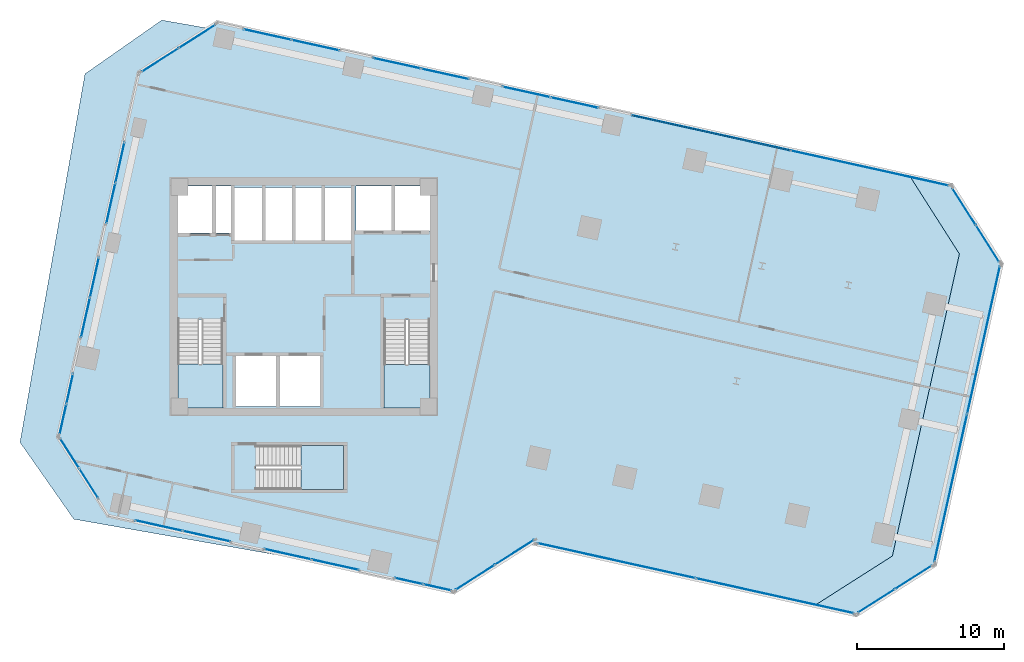
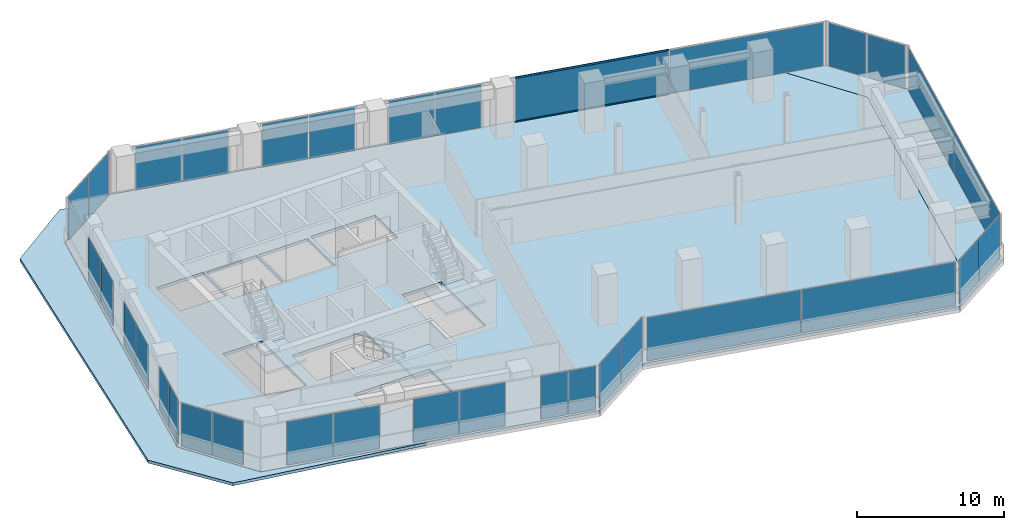
# One storey, part 19 of 25: 34 plates, 6 slabs, 2 members, 20 elements without a shape of their own.
"""IFC4 building model written with IfcOpenShell, lengths in metres."""

from ifc_helpers import new_model, si_unit, direction, frame, origin, origin_2d, place, context, subcontext, project, spatial, polyline, rectangle, hollow_rectangle, outline, extrude, source, transform, mapped, material, layer, layer_set, material_profile, profile_set, type_object, element, aggregate, save


model = new_model("IFC4")

# Units and contexts
model_context = context("Model", 3, precision=1e-05, world=origin(), true_north=direction((0.0, 1.0)))
body_context = subcontext(model_context, "Body", "Model", "MODEL_VIEW")
ifc_project = project(units=[si_unit("LENGTHUNIT", "METRE"), si_unit("AREAUNIT", "SQUARE_METRE"), si_unit("VOLUMEUNIT", "CUBIC_METRE"), si_unit("PLANEANGLEUNIT", "RADIAN"), si_unit("MASSUNIT", "GRAM", prefix="KILO")], contexts=[model_context])

# Site, building, storey
site_placement = place(None, origin())
site = spatial("IfcSite", under=ifc_project, at=site_placement, CompositionType="ELEMENT")
building_placement = place(site_placement, origin())
building = spatial("IfcBuilding", under=site, at=building_placement, Name="Torre Montelarca", CompositionType="ELEMENT")
storey_placement = place(building_placement, frame((0.0, 0.0, 87.39990234375)))
storey = spatial("IfcBuildingStorey", under=building, at=storey_placement, Name="L19", CompositionType="ELEMENT", Elevation=87.39990234375)

# Curtain wall, members
ifc_material_1 = material(Name="Insulated low-E laminated glass", Category="glass")
curtain_wall_type = type_object("IfcCurtainWallType", Name="CW-SYS-Z1", PredefinedType="USERDEFINED", material=ifc_material_1)
curtain_wall_1_placement = place(storey_placement, origin())
curtain_wall_1 = element("IfcCurtainWall", 1, at=curtain_wall_1_placement, inside=storey, type_object=curtain_wall_type, Name="L19 Curtain Wall Run CW-T3-L19-E08-B1", ObjectType="UNITISED GLAZING", PredefinedType="USERDEFINED")
ifc_material_2 = material(Name="Anodised aluminium AA 6063-T6", Category="aluminium")
ifc_material_profile = material_profile(ifc_material_2, hollow_rectangle(XDim=0.06494140625, YDim=0.139892578125, WallThickness=0.00390625, InnerFilletRadius=0.00390625, OuterFilletRadius=0.008056640625, at=origin_2d()), Name="ALU65X140X4", Category="aluminium")
ifc_profile_set = profile_set([ifc_material_profile], Name="Anodised aluminium AA 6063-T6")
member_type = type_object("IfcMemberType", Name="CWT-ALU140", PredefinedType="USERDEFINED", material=ifc_profile_set)
shared_shape_1 = source(origin(), body_context, "Body", "SweptSolid", [
    extrude(hollow_rectangle(XDim=0.06494140625, YDim=0.139892578125, WallThickness=0.00390625, InnerFilletRadius=0.00390625, OuterFilletRadius=0.008056640625, at=origin_2d()), origin(), (0.0, 0.0, 1.0), 10.95458984375),
])
member_1_placement = place(storey_placement, frame((50.99609375, 41.9208984375, 0.03271484375), z_axis=(-0.976293917947, 0.216449037372, 0.0), x_axis=(-0.216449037372, -0.976293917947, 0.0)))
member_1 = element("IfcMember", 2, at=member_1_placement, type_object=member_type, Name="CW transom 2.1", ObjectType="TRANSOM", PredefinedType="USERDEFINED", context=body_context, shape_type="MappedRepresentation", body=[
    mapped(shared_shape_1, transform((0.0, 0.0, 0.0), scale=1.0)),
])
member_2_placement = place(storey_placement, frame((50.99609375, 41.9208984375, 3.6875), z_axis=(-0.976293917947, 0.216449037372, 0.0), x_axis=(-0.216449037372, -0.976293917947, 0.0)))
member_2 = element("IfcMember", 3, at=member_2_placement, type_object=member_type, Name="CW transom 2.2", ObjectType="TRANSOM", PredefinedType="USERDEFINED", context=body_context, shape_type="MappedRepresentation", body=[
    mapped(shared_shape_1, transform((0.0, 0.0, 0.0), scale=1.0)),
])

# Slabs
ifc_material_3 = material(Name="Concrete C40/50", Category="concrete")
ifc_layer_1 = layer(ifc_material_3, 0.239990234375, Name="Concrete C40/50", Category="concrete")
ifc_layer_set_1 = layer_set([ifc_layer_1], Name="Concrete C40/50")
slab_type_1 = type_object("IfcSlabType", Name="SL-FLR-240", PredefinedType="FLOOR", material=ifc_layer_set_1)
slab_1_placement = place(storey_placement, frame((0.0, 0.0, -0.239990234375)))
element("IfcSlab", 4, at=slab_1_placement, inside=storey, type_object=slab_type_1, Name="L19 Structural Floor Slab", PredefinedType="FLOOR", context=body_context, shape_type="SweptSolid", body=[
    extrude(outline(polyline([(28.202392578125, 11.872314453125), (33.569580078125, 15.29150390625), (33.548095703125, 15.19384765625), (52.5859375, 10.973388671875), (57.953125, 14.392578125), (62.498291015625, 34.89501953125), (59.0791015625, 40.26220703125), (12.119140625, 50.673095703125), (6.751953125, 47.253662109375), (1.25439453125, 22.455810546875), (4.673583984375, 17.08837890625), (28.202392578125, 11.872314453125)]), holes=[polyline([(20.699951171875, 18.89990234375), (14.760009765625, 18.89990234375), (14.760009765625, 21.889892578125), (20.699951171875, 21.889892578125), (20.699951171875, 18.89990234375)]), polyline([(19.10009765625, 24.550048828125), (13.39990234375, 24.550048828125), (13.39990234375, 27.949951171875), (19.10009765625, 27.949951171875), (19.10009765625, 24.550048828125)]), polyline([(23.43994140625, 24.449951171875), (23.43994140625, 30.429931640625), (26.550048828125, 30.429931640625), (26.550048828125, 24.449951171875), (23.43994140625, 24.449951171875)]), polyline([(9.449951171875, 24.449951171875), (9.449951171875, 30.4599609375), (12.5, 30.4599609375), (12.5, 24.449951171875), (9.449951171875, 24.449951171875)]), polyline([(17.25, 35.800048828125), (13.300048828125, 35.800048828125), (13.300048828125, 39.39990234375), (17.25, 39.39990234375), (17.25, 35.800048828125)]), polyline([(21.25, 35.800048828125), (17.39990234375, 35.800048828125), (17.39990234375, 39.39990234375), (21.25, 39.39990234375), (21.25, 35.800048828125)]), polyline([(13.1201171875, 36.300048828125), (9.449951171875, 36.300048828125), (9.449951171875, 39.5), (13.1201171875, 39.5), (13.1201171875, 36.300048828125)]), polyline([(26.60009765625, 36.449951171875), (21.550048828125, 36.449951171875), (21.550048828125, 39.5), (26.60009765625, 39.5), (26.60009765625, 36.449951171875)])]), origin(), (0.0, 0.0, 1.0), 0.239990234375),
])
slab_2_placement = place(storey_placement, frame((0.0, 0.0, -0.239990234375)))
element("IfcSlab", 5, at=slab_2_placement, inside=storey, type_object=slab_type_1, Name="L19 Sliding Tray Winter Garden Floor Slab E1", PredefinedType="FLOOR", context=body_context, shape_type="SweptSolid", body=[
    extrude(outline(polyline([(59.0791015625, 40.26220703125), (62.498291015625, 34.89501953125), (57.953125, 14.392578125), (52.5859375, 10.973388671875), (55.514892578125, 10.32421875), (60.882080078125, 13.743408203125), (65.42724609375, 34.24560546875), (62.0078125, 39.61279296875), (59.0791015625, 40.26220703125)])), origin(), (0.0, 0.0, 1.0), 0.239990234375),
])
ifc_material_4 = material(Name="Architectural concrete C40/50", Category="concrete")
ifc_layer_2 = layer(ifc_material_4, 0.239990234375, Name="Architectural concrete C40/50", Category="concrete")
ifc_layer_set_2 = layer_set([ifc_layer_2], Name="Architectural concrete C40/50")
slab_type_2 = type_object("IfcSlabType", Name="SL-ROOF-EXT-240", PredefinedType="ROOF", material=ifc_layer_set_2)
slab_3_placement = place(storey_placement, frame((0.0, 0.0, -0.239990234375)))
element("IfcSlab", 6, at=slab_3_placement, inside=storey, type_object=slab_type_2, Name="L18 Setback and Tray Overhang Roof Cap Slab 01", PredefinedType="ROOF", context=body_context, shape_type="SweptSolid", body=[
    extrude(outline(polyline([(4.668701171875, 17.081298828125), (1.245849609375, 22.4541015625), (6.744873046875, 47.258544921875), (11.407958984375, 50.2294921875), (8.359130859375, 50.76708984375), (3.146240234375, 47.11669921875), (-1.264404296875, 22.102783203125), (2.3857421875, 16.8896484375), (17.767822265625, 14.17724609375), (4.668701171875, 17.081298828125)])), origin(), (0.0, 0.0, 1.0), 0.239990234375),
])

# Stair, slab
stair_type_1 = type_object("IfcStairType", Name="ST-CORE-ST1", PredefinedType="HALF_TURN_STAIR", material=ifc_material_3)
stair_1_placement = place(storey_placement, origin())
stair_1 = element("IfcStair", 7, at=stair_1_placement, inside=storey, type_object=stair_type_1, Name="L19 Protected Exit Stair ST1", PredefinedType="HALF_TURN_STAIR")
ifc_layer_3 = layer(ifc_material_3, 0.199951171875, Name="Concrete C40/50", Category="concrete")
ifc_layer_set_3 = layer_set([ifc_layer_3], Name="Concrete C40/50")
slab_type_3 = type_object("IfcSlabType", Name="SL-ST-LAND-ST1", PredefinedType="LANDING", material=ifc_layer_set_3)
slab_4_placement = place(storey_placement, frame((0.0, 0.0, 1.900146484375)))
slab_4 = element("IfcSlab", 8, at=slab_4_placement, type_object=slab_type_3, Name="ST1 landing 1", PredefinedType="LANDING", context=body_context, shape_type="SweptSolid", body=[
    extrude(outline(polyline([(9.449951171875, 27.419921875), (9.449951171875, 24.449951171875), (12.5, 24.449951171875), (12.5, 27.419921875), (9.449951171875, 27.419921875)])), origin(), (0.0, 0.0, 1.0), 0.199951171875),
])
aggregate(stair_1, [slab_4])

stair_type_2 = type_object("IfcStairType", Name="ST-CORE-ST2", PredefinedType="HALF_TURN_STAIR", material=ifc_material_3)
stair_2_placement = place(storey_placement, origin())
stair_2 = element("IfcStair", 9, at=stair_2_placement, inside=storey, type_object=stair_type_2, Name="L19 Protected Exit Stair ST2", PredefinedType="HALF_TURN_STAIR")
ifc_layer_4 = layer(ifc_material_3, 0.199951171875, Name="Concrete C40/50", Category="concrete")
ifc_layer_set_4 = layer_set([ifc_layer_4], Name="Concrete C40/50")
slab_type_4 = type_object("IfcSlabType", Name="SL-ST-LAND-ST2", PredefinedType="LANDING", material=ifc_layer_set_4)
slab_5_placement = place(storey_placement, frame((0.0, 0.0, 1.900146484375)))
slab_5 = element("IfcSlab", 10, at=slab_5_placement, type_object=slab_type_4, Name="ST2 landing 1", PredefinedType="LANDING", context=body_context, shape_type="SweptSolid", body=[
    extrude(outline(polyline([(23.43994140625, 27.389892578125), (23.43994140625, 24.449951171875), (26.550048828125, 24.449951171875), (26.550048828125, 27.389892578125), (23.43994140625, 27.389892578125)])), origin(), (0.0, 0.0, 1.0), 0.199951171875),
])
aggregate(stair_2, [slab_5])

stair_type_3 = type_object("IfcStairType", Name="ST-CORE-ST3", PredefinedType="HALF_TURN_STAIR", material=ifc_material_3)
stair_3_placement = place(storey_placement, origin())
stair_3 = element("IfcStair", 11, at=stair_3_placement, inside=storey, type_object=stair_type_3, Name="L19 Low-Rise Exit Stair ST3", PredefinedType="HALF_TURN_STAIR")
ifc_layer_5 = layer(ifc_material_3, 0.199951171875, Name="Concrete C40/50", Category="concrete")
ifc_layer_set_5 = layer_set([ifc_layer_5], Name="Concrete C40/50")
slab_type_5 = type_object("IfcSlabType", Name="SL-ST-LAND-ST3", PredefinedType="LANDING", material=ifc_layer_set_5)
slab_6_placement = place(storey_placement, frame((0.0, 0.0, 1.900146484375)))
slab_6 = element("IfcSlab", 12, at=slab_6_placement, type_object=slab_type_5, Name="ST3 landing 1", PredefinedType="LANDING", context=body_context, shape_type="SweptSolid", body=[
    extrude(outline(polyline([(17.800048828125, 18.89990234375), (20.699951171875, 18.89990234375), (20.699951171875, 21.889892578125), (17.800048828125, 21.889892578125), (17.800048828125, 18.89990234375)])), origin(), (0.0, 0.0, 1.0), 0.199951171875),
])
aggregate(stair_3, [slab_6])

# Curtain wall, plates
curtain_wall_2_placement = place(storey_placement, origin())
curtain_wall_2 = element("IfcCurtainWall", 13, at=curtain_wall_2_placement, inside=storey, type_object=curtain_wall_type, Name="L19 Curtain Wall Run CW-T3-L19-E02-B1", ObjectType="UNITISED GLAZING", PredefinedType="USERDEFINED")
ifc_layer_6 = layer(ifc_material_1, 0.028076171875, Name="Insulated low-E laminated glass", Category="glass")
ifc_layer_set_6 = layer_set([ifc_layer_6], Name="Insulated low-E laminated glass")
plate_type = type_object("IfcPlateType", Name="CWP-GLZ-28", PredefinedType="CURTAIN_PANEL", material=ifc_layer_set_6)
shared_shape_2 = source(origin(), body_context, "Body", "SweptSolid", [
    extrude(rectangle(XDim=3.102294921875, YDim=0.028076171875, at=origin_2d()), origin(), (0.0, 0.0, 1.0), 3.590087890625),
])
plate_1_placement = place(storey_placement, frame((29.635498046875, 12.939208984375, 0.06494140625), z_axis=(0.0, 0.0, 1.0), x_axis=(0.843383425571, 0.537312197398, 0.0)))
plate_1 = element("IfcPlate", 14, at=plate_1_placement, type_object=plate_type, Name="CW panel 1.1", PredefinedType="CURTAIN_PANEL", context=body_context, shape_type="MappedRepresentation", body=[
    mapped(shared_shape_2, transform((0.0, 0.0, 0.0), scale=1.0)),
])
plate_2_placement = place(storey_placement, frame((32.306884765625, 14.64111328125, 0.06494140625), z_axis=(0.0, 0.0, 1.0), x_axis=(0.843383425571, 0.537312197398, 0.0)))
plate_2 = element("IfcPlate", 15, at=plate_2_placement, type_object=plate_type, Name="CW panel 2.1", PredefinedType="CURTAIN_PANEL", context=body_context, shape_type="MappedRepresentation", body=[
    mapped(shared_shape_2, transform((0.0, 0.0, 0.0), scale=1.0)),
])
aggregate(curtain_wall_2, [plate_1, plate_2])

curtain_wall_3_placement = place(storey_placement, origin())
curtain_wall_3 = element("IfcCurtainWall", 16, at=curtain_wall_3_placement, inside=storey, type_object=curtain_wall_type, Name="L19 Curtain Wall Run CW-T3-L19-E04-B1", ObjectType="UNITISED GLAZING", PredefinedType="USERDEFINED")
shared_shape_3 = source(origin(), body_context, "Body", "SweptSolid", [
    extrude(rectangle(XDim=10.94873046875, YDim=0.028076171875, at=origin_2d()), origin(), (0.0, 0.0, 1.0), 3.590087890625),
])
plate_3_placement = place(storey_placement, frame((39.220458984375, 14.069580078125, 0.06494140625), z_axis=(0.0, 0.0, 1.0), x_axis=(0.976296635237, -0.216436780664, 0.0)))
plate_3 = element("IfcPlate", 17, at=plate_3_placement, type_object=plate_type, Name="CW panel 1.1", PredefinedType="CURTAIN_PANEL", context=body_context, shape_type="MappedRepresentation", body=[
    mapped(shared_shape_3, transform((0.0, 0.0, 0.0), scale=1.0)),
])
plate_4_placement = place(storey_placement, frame((49.97314453125, 11.685791015625, 0.06494140625), z_axis=(0.0, 0.0, 1.0), x_axis=(0.976296635237, -0.216436780664, 0.0)))
plate_4 = element("IfcPlate", 18, at=plate_4_placement, type_object=plate_type, Name="CW panel 2.1", PredefinedType="CURTAIN_PANEL", context=body_context, shape_type="MappedRepresentation", body=[
    mapped(shared_shape_3, transform((0.0, 0.0, 0.0), scale=1.0)),
])
aggregate(curtain_wall_3, [plate_3, plate_4])

curtain_wall_4_placement = place(storey_placement, origin())
curtain_wall_4 = element("IfcCurtainWall", 19, at=curtain_wall_4_placement, inside=storey, type_object=curtain_wall_type, Name="L19 Curtain Wall Run CW-T3-L19-E05-B1", ObjectType="UNITISED GLAZING", PredefinedType="USERDEFINED")
shared_shape_4 = source(origin(), body_context, "Body", "SweptSolid", [
    extrude(rectangle(XDim=2.918701171875, YDim=0.028076171875, at=origin_2d()), origin(), (0.0, 0.0, 1.0), 3.590087890625),
])
plate_5_placement = place(storey_placement, frame((56.870361328125, 11.341796875, 0.06494140625), z_axis=(0.0, 0.0, 1.0), x_axis=(0.843388340222, 0.537304483117, 0.0)))
plate_5 = element("IfcPlate", 20, at=plate_5_placement, type_object=plate_type, Name="CW panel 1.1", PredefinedType="CURTAIN_PANEL", context=body_context, shape_type="MappedRepresentation", body=[
    mapped(shared_shape_4, transform((0.0, 0.0, 0.0), scale=1.0)),
])
plate_6_placement = place(storey_placement, frame((59.38671875, 12.945068359375, 0.06494140625), z_axis=(0.0, 0.0, 1.0), x_axis=(0.843388340222, 0.537304483117, 0.0)))
plate_6 = element("IfcPlate", 21, at=plate_6_placement, type_object=plate_type, Name="CW panel 2.1", PredefinedType="CURTAIN_PANEL", context=body_context, shape_type="MappedRepresentation", body=[
    mapped(shared_shape_4, transform((0.0, 0.0, 0.0), scale=1.0)),
])
aggregate(curtain_wall_4, [plate_5, plate_6])

curtain_wall_5_placement = place(storey_placement, origin())
curtain_wall_5 = element("IfcCurtainWall", 22, at=curtain_wall_5_placement, inside=storey, type_object=curtain_wall_type, Name="L19 Curtain Wall Run CW-T3-L19-E07-B1", ObjectType="UNITISED GLAZING", PredefinedType="USERDEFINED")
plate_7_placement = place(storey_placement, frame((64.409423828125, 35.601318359375, 0.06494140625), z_axis=(0.0, 0.0, 1.0), x_axis=(-0.537316274487, 0.843380828079, 0.0)))
plate_7 = element("IfcPlate", 23, at=plate_7_placement, type_object=plate_type, Name="CW panel 1.1", PredefinedType="CURTAIN_PANEL", context=body_context, shape_type="MappedRepresentation", body=[
    mapped(shared_shape_4, transform((0.0, 0.0, 0.0), scale=1.0)),
])
plate_8_placement = place(storey_placement, frame((62.806396484375, 38.11767578125, 0.06494140625), z_axis=(0.0, 0.0, 1.0), x_axis=(-0.537316274487, 0.843380828079, 0.0)))
plate_8 = element("IfcPlate", 24, at=plate_8_placement, type_object=plate_type, Name="CW panel 2.1", PredefinedType="CURTAIN_PANEL", context=body_context, shape_type="MappedRepresentation", body=[
    mapped(shared_shape_4, transform((0.0, 0.0, 0.0), scale=1.0)),
])
aggregate(curtain_wall_5, [plate_7, plate_8])

curtain_wall_6_placement = place(storey_placement, origin())
curtain_wall_6 = element("IfcCurtainWall", 25, at=curtain_wall_6_placement, inside=storey, type_object=curtain_wall_type, Name="L19 Curtain Wall Run CW-T3-L19-E09-B1", ObjectType="UNITISED GLAZING", PredefinedType="USERDEFINED")
plate_9_placement = place(storey_placement, frame((10.763671875, 49.6552734375, 0.06494140625), z_axis=(0.0, 0.0, 1.0), x_axis=(-0.843380828079, -0.537316274487, 0.0)))
plate_9 = element("IfcPlate", 26, at=plate_9_placement, type_object=plate_type, Name="CW panel 1.1", PredefinedType="CURTAIN_PANEL", context=body_context, shape_type="MappedRepresentation", body=[
    mapped(shared_shape_4, transform((0.0, 0.0, 0.0), scale=1.0)),
])
plate_10_placement = place(storey_placement, frame((8.247314453125, 48.052001953125, 0.06494140625), z_axis=(0.0, 0.0, 1.0), x_axis=(-0.843380828079, -0.537316274487, 0.0)))
plate_10 = element("IfcPlate", 27, at=plate_10_placement, type_object=plate_type, Name="CW panel 2.1", PredefinedType="CURTAIN_PANEL", context=body_context, shape_type="MappedRepresentation", body=[
    mapped(shared_shape_4, transform((0.0, 0.0, 0.0), scale=1.0)),
])
aggregate(curtain_wall_6, [plate_9, plate_10])

curtain_wall_7_placement = place(storey_placement, origin())
curtain_wall_7 = element("IfcCurtainWall", 28, at=curtain_wall_7_placement, inside=storey, type_object=curtain_wall_type, Name="L19 Curtain Wall Run CW-T3-L19-E10-B3", ObjectType="UNITISED GLAZING", PredefinedType="USERDEFINED")
shared_shape_5 = source(origin(), body_context, "Body", "SweptSolid", [
    extrude(rectangle(XDim=2.067138671875, YDim=0.028076171875, at=origin_2d()), origin(), (0.0, 0.0, 1.0), 3.590087890625),
])
plate_11_placement = place(storey_placement, frame((2.116455078125, 25.743408203125, 0.06494140625), z_axis=(0.0, 0.0, 1.0), x_axis=(-0.216458402676, -0.976291841567, 0.0)))
plate_11 = element("IfcPlate", 29, at=plate_11_placement, type_object=plate_type, Name="CW panel 1.1", PredefinedType="CURTAIN_PANEL", context=body_context, shape_type="MappedRepresentation", body=[
    mapped(shared_shape_5, transform((0.0, 0.0, 0.0), scale=1.0)),
])
plate_12_placement = place(storey_placement, frame((1.65478515625, 23.661865234375, 0.06494140625), z_axis=(0.0, 0.0, 1.0), x_axis=(-0.216458402676, -0.976291841567, 0.0)))
plate_12 = element("IfcPlate", 30, at=plate_12_placement, type_object=plate_type, Name="CW panel 2.1", PredefinedType="CURTAIN_PANEL", context=body_context, shape_type="MappedRepresentation", body=[
    mapped(shared_shape_5, transform((0.0, 0.0, 0.0), scale=1.0)),
])
aggregate(curtain_wall_7, [plate_11, plate_12])

curtain_wall_8_placement = place(storey_placement, origin())
curtain_wall_8 = element("IfcCurtainWall", 31, at=curtain_wall_8_placement, inside=storey, type_object=curtain_wall_type, Name="L19 Curtain Wall Run CW-T3-L19-E01-B1", ObjectType="UNITISED GLAZING", PredefinedType="USERDEFINED")
shared_shape_6 = source(origin(), body_context, "Body", "SweptSolid", [
    extrude(rectangle(XDim=3.2724609375, YDim=0.028076171875, at=origin_2d()), origin(), (0.0, 0.0, 1.0), 3.590087890625),
])
plate_13_placement = place(storey_placement, frame((8.1494140625, 16.451171875, 0.06494140625), z_axis=(0.0, 0.0, 1.0), x_axis=(0.976296552271, -0.216437154905, 0.0)))
plate_13 = element("IfcPlate", 32, at=plate_13_placement, type_object=plate_type, Name="CW panel 1.1", PredefinedType="CURTAIN_PANEL", context=body_context, shape_type="MappedRepresentation", body=[
    mapped(shared_shape_6, transform((0.0, 0.0, 0.0), scale=1.0)),
])
plate_14_placement = place(storey_placement, frame((11.40771484375, 15.728759765625, 0.06494140625), z_axis=(0.0, 0.0, 1.0), x_axis=(0.976296552271, -0.216437154905, 0.0)))
plate_14 = element("IfcPlate", 33, at=plate_14_placement, type_object=plate_type, Name="CW panel 2.1", PredefinedType="CURTAIN_PANEL", context=body_context, shape_type="MappedRepresentation", body=[
    mapped(shared_shape_6, transform((0.0, 0.0, 0.0), scale=1.0)),
])
aggregate(curtain_wall_8, [plate_13, plate_14])

curtain_wall_9_placement = place(storey_placement, origin())
curtain_wall_9 = element("IfcCurtainWall", 34, at=curtain_wall_9_placement, inside=storey, type_object=curtain_wall_type, Name="L19 Curtain Wall Run CW-T3-L19-E08-B2", ObjectType="UNITISED GLAZING", PredefinedType="USERDEFINED")
plate_15_placement = place(storey_placement, frame((36.370361328125, 45.163330078125, 0.06494140625), z_axis=(0.0, 0.0, 1.0), x_axis=(-0.976296552271, 0.216437154905, 0.0)))
plate_15 = element("IfcPlate", 35, at=plate_15_placement, type_object=plate_type, Name="CW panel 1.1", PredefinedType="CURTAIN_PANEL", context=body_context, shape_type="MappedRepresentation", body=[
    mapped(shared_shape_6, transform((0.0, 0.0, 0.0), scale=1.0)),
])
plate_16_placement = place(storey_placement, frame((33.112060546875, 45.8857421875, 0.06494140625), z_axis=(0.0, 0.0, 1.0), x_axis=(-0.976296552271, 0.216437154905, 0.0)))
plate_16 = element("IfcPlate", 36, at=plate_16_placement, type_object=plate_type, Name="CW panel 2.1", PredefinedType="CURTAIN_PANEL", context=body_context, shape_type="MappedRepresentation", body=[
    mapped(shared_shape_6, transform((0.0, 0.0, 0.0), scale=1.0)),
])
aggregate(curtain_wall_9, [plate_15, plate_16])

curtain_wall_10_placement = place(storey_placement, origin())
curtain_wall_10 = element("IfcCurtainWall", 37, at=curtain_wall_10_placement, inside=storey, type_object=curtain_wall_type, Name="L19 Curtain Wall Run CW-T3-L19-E08-B3", ObjectType="UNITISED GLAZING", PredefinedType="USERDEFINED")
plate_17_placement = place(storey_placement, frame((27.583740234375, 47.111328125, 0.06494140625), z_axis=(0.0, 0.0, 1.0), x_axis=(-0.976296552271, 0.216437154905, 0.0)))
plate_17 = element("IfcPlate", 38, at=plate_17_placement, type_object=plate_type, Name="CW panel 1.1", PredefinedType="CURTAIN_PANEL", context=body_context, shape_type="MappedRepresentation", body=[
    mapped(shared_shape_6, transform((0.0, 0.0, 0.0), scale=1.0)),
])
plate_18_placement = place(storey_placement, frame((24.3251953125, 47.833740234375, 0.06494140625), z_axis=(0.0, 0.0, 1.0), x_axis=(-0.976296552271, 0.216437154905, 0.0)))
plate_18 = element("IfcPlate", 39, at=plate_18_placement, type_object=plate_type, Name="CW panel 2.1", PredefinedType="CURTAIN_PANEL", context=body_context, shape_type="MappedRepresentation", body=[
    mapped(shared_shape_6, transform((0.0, 0.0, 0.0), scale=1.0)),
])
aggregate(curtain_wall_10, [plate_17, plate_18])

curtain_wall_11_placement = place(storey_placement, origin())
curtain_wall_11 = element("IfcCurtainWall", 40, at=curtain_wall_11_placement, inside=storey, type_object=curtain_wall_type, Name="L19 Curtain Wall Run CW-T3-L19-E08-B4", ObjectType="UNITISED GLAZING", PredefinedType="USERDEFINED")
plate_19_placement = place(storey_placement, frame((18.796875, 49.059326171875, 0.06494140625), z_axis=(0.0, 0.0, 1.0), x_axis=(-0.976298992316, 0.216426148151, 0.0)))
plate_19 = element("IfcPlate", 41, at=plate_19_placement, type_object=plate_type, Name="CW panel 1.1", PredefinedType="CURTAIN_PANEL", context=body_context, shape_type="MappedRepresentation", body=[
    mapped(shared_shape_6, transform((0.0, 0.0, 0.0), scale=1.0)),
])
plate_20_placement = place(storey_placement, frame((15.53857421875, 49.78173828125, 0.06494140625), z_axis=(0.0, 0.0, 1.0), x_axis=(-0.976298992316, 0.216426148151, 0.0)))
plate_20 = element("IfcPlate", 42, at=plate_20_placement, type_object=plate_type, Name="CW panel 2.1", PredefinedType="CURTAIN_PANEL", context=body_context, shape_type="MappedRepresentation", body=[
    mapped(shared_shape_6, transform((0.0, 0.0, 0.0), scale=1.0)),
])
aggregate(curtain_wall_11, [plate_19, plate_20])

curtain_wall_12_placement = place(storey_placement, origin())
curtain_wall_12 = element("IfcCurtainWall", 43, at=curtain_wall_12_placement, inside=storey, type_object=curtain_wall_type, Name="L19 Curtain Wall Run CW-T3-L19-E01-B3", ObjectType="UNITISED GLAZING", PredefinedType="USERDEFINED")
shared_shape_7 = source(origin(), body_context, "Body", "SweptSolid", [
    extrude(rectangle(XDim=1.9169921875, YDim=0.028076171875, at=origin_2d()), origin(), (0.0, 0.0, 1.0), 3.590087890625),
])
plate_21_placement = place(storey_placement, frame((25.13427734375, 12.685546875, 0.06494140625), z_axis=(0.0, 0.0, 1.0), x_axis=(0.976294973664, -0.216444275505, 0.0)))
plate_21 = element("IfcPlate", 44, at=plate_21_placement, type_object=plate_type, Name="CW panel 1.1", PredefinedType="CURTAIN_PANEL", context=body_context, shape_type="MappedRepresentation", body=[
    mapped(shared_shape_7, transform((0.0, 0.0, 0.0), scale=1.0)),
])
plate_22_placement = place(storey_placement, frame((27.0693359375, 12.256591796875, 0.06494140625), z_axis=(0.0, 0.0, 1.0), x_axis=(0.976294973664, -0.216444275505, 0.0)))
plate_22 = element("IfcPlate", 45, at=plate_22_placement, type_object=plate_type, Name="CW panel 2.1", PredefinedType="CURTAIN_PANEL", context=body_context, shape_type="MappedRepresentation", body=[
    mapped(shared_shape_7, transform((0.0, 0.0, 0.0), scale=1.0)),
])
aggregate(curtain_wall_12, [plate_21, plate_22])

curtain_wall_13_placement = place(storey_placement, origin())
curtain_wall_13 = element("IfcCurtainWall", 46, at=curtain_wall_13_placement, inside=storey, type_object=curtain_wall_type, Name="L19 Curtain Wall Run CW-T3-L19-E10-B2", ObjectType="UNITISED GLAZING", PredefinedType="USERDEFINED")
shared_shape_8 = source(origin(), body_context, "Body", "SweptSolid", [
    extrude(rectangle(XDim=2.735107421875, YDim=0.028076171875, at=origin_2d()), origin(), (0.0, 0.0, 1.0), 3.590087890625),
])
plate_23_placement = place(storey_placement, frame((3.791748046875, 33.301025390625, 0.06494140625), z_axis=(0.0, 0.0, 1.0), x_axis=(-0.216435126494, -0.976297001951, 0.0)))
plate_23 = element("IfcPlate", 47, at=plate_23_placement, type_object=plate_type, Name="CW panel 1.1", PredefinedType="CURTAIN_PANEL", context=body_context, shape_type="MappedRepresentation", body=[
    mapped(shared_shape_8, transform((0.0, 0.0, 0.0), scale=1.0)),
])
plate_24_placement = place(storey_placement, frame((3.185791015625, 30.5673828125, 0.06494140625), z_axis=(0.0, 0.0, 1.0), x_axis=(-0.216435126494, -0.976297001951, 0.0)))
plate_24 = element("IfcPlate", 48, at=plate_24_placement, type_object=plate_type, Name="CW panel 2.1", PredefinedType="CURTAIN_PANEL", context=body_context, shape_type="MappedRepresentation", body=[
    mapped(shared_shape_8, transform((0.0, 0.0, 0.0), scale=1.0)),
])
aggregate(curtain_wall_13, [plate_23, plate_24])

curtain_wall_14_placement = place(storey_placement, origin())
curtain_wall_14 = element("IfcCurtainWall", 49, at=curtain_wall_14_placement, inside=storey, type_object=curtain_wall_type, Name="L19 Curtain Wall Run CW-T3-L19-E01-B2", ObjectType="UNITISED GLAZING", PredefinedType="USERDEFINED")
shared_shape_9 = source(origin(), body_context, "Body", "SweptSolid", [
    extrude(rectangle(XDim=3.235107421875, YDim=0.028076171875, at=origin_2d()), origin(), (0.0, 0.0, 1.0), 3.590087890625),
])
plate_25_placement = place(storey_placement, frame((16.917724609375, 14.507080078125, 0.06494140625), z_axis=(0.0, 0.0, 1.0), x_axis=(0.976295669135, -0.216441138486, 0.0)))
plate_25 = element("IfcPlate", 50, at=plate_25_placement, type_object=plate_type, Name="CW panel 1.1", PredefinedType="CURTAIN_PANEL", context=body_context, shape_type="MappedRepresentation", body=[
    mapped(shared_shape_9, transform((0.0, 0.0, 0.0), scale=1.0)),
])
plate_26_placement = place(storey_placement, frame((20.1396484375, 13.79296875, 0.06494140625), z_axis=(0.0, 0.0, 1.0), x_axis=(0.976295669135, -0.216441138486, 0.0)))
plate_26 = element("IfcPlate", 51, at=plate_26_placement, type_object=plate_type, Name="CW panel 2.1", PredefinedType="CURTAIN_PANEL", context=body_context, shape_type="MappedRepresentation", body=[
    mapped(shared_shape_9, transform((0.0, 0.0, 0.0), scale=1.0)),
])
aggregate(curtain_wall_14, [plate_25, plate_26])

curtain_wall_15_placement = place(storey_placement, origin())
curtain_wall_15 = element("IfcCurtainWall", 52, at=curtain_wall_15_placement, inside=storey, type_object=curtain_wall_type, Name="L19 Curtain Wall Run CW-T3-L19-E06-B1", ObjectType="UNITISED GLAZING", PredefinedType="USERDEFINED")
shared_shape_10 = source(origin(), body_context, "Body", "SweptSolid", [
    extrude(rectangle(XDim=10.23681640625, YDim=0.028076171875, at=origin_2d()), origin(), (0.0, 0.0, 1.0), 3.590087890625),
])
plate_27_placement = place(storey_placement, frame((61.912841796875, 18.993896484375, 0.06494140625), z_axis=(0.0, 0.0, 1.0), x_axis=(0.216441193422, 0.976295656956, 0.0)))
plate_27 = element("IfcPlate", 53, at=plate_27_placement, type_object=plate_type, Name="CW panel 1.1", PredefinedType="CURTAIN_PANEL", context=body_context, shape_type="MappedRepresentation", body=[
    mapped(shared_shape_10, transform((0.0, 0.0, 0.0), scale=1.0)),
])
plate_28_placement = place(storey_placement, frame((64.142578125, 29.051513671875, 0.06494140625), z_axis=(0.0, 0.0, 1.0), x_axis=(0.216441193422, 0.976295656956, 0.0)))
plate_28 = element("IfcPlate", 54, at=plate_28_placement, type_object=plate_type, Name="CW panel 2.1", PredefinedType="CURTAIN_PANEL", context=body_context, shape_type="MappedRepresentation", body=[
    mapped(shared_shape_10, transform((0.0, 0.0, 0.0), scale=1.0)),
])
aggregate(curtain_wall_15, [plate_27, plate_28])

# Plate
shared_shape_11 = source(origin(), body_context, "Body", "SweptSolid", [
    extrude(rectangle(XDim=10.95458984375, YDim=0.028076171875, at=origin_2d()), origin(), (0.0, 0.0, 1.0), 3.590087890625),
])
plate_29_placement = place(storey_placement, frame((56.406982421875, 40.721435546875, 0.06494140625), z_axis=(0.0, 0.0, 1.0), x_axis=(-0.976295196058, 0.216443272368, 0.0)))
plate_29 = element("IfcPlate", 55, at=plate_29_placement, type_object=plate_type, Name="CW panel 1.1", PredefinedType="CURTAIN_PANEL", context=body_context, shape_type="MappedRepresentation", body=[
    mapped(shared_shape_11, transform((0.0, 0.0, 0.0), scale=1.0)),
])

plate_30_placement = place(storey_placement, frame((45.648681640625, 43.1064453125, 0.06494140625), z_axis=(0.0, 0.0, 1.0), x_axis=(-0.976295196058, 0.216443272368, 0.0)))
plate_30 = element("IfcPlate", 56, at=plate_30_placement, type_object=plate_type, Name="CW panel 2.1", PredefinedType="CURTAIN_PANEL", context=body_context, shape_type="MappedRepresentation", body=[
    mapped(shared_shape_11, transform((0.0, 0.0, 0.0), scale=1.0)),
])

aggregate(curtain_wall_1, [plate_29, member_1, member_2, plate_30])

# Curtain wall, plates
curtain_wall_16_placement = place(storey_placement, origin())
curtain_wall_16 = element("IfcCurtainWall", 57, at=curtain_wall_16_placement, inside=storey, type_object=curtain_wall_type, Name="L19 Curtain Wall Run CW-T3-L19-E10-B1", ObjectType="UNITISED GLAZING", PredefinedType="USERDEFINED")
shared_shape_12 = source(origin(), body_context, "Body", "SweptSolid", [
    extrude(rectangle(XDim=2.7724609375, YDim=0.028076171875, at=origin_2d()), origin(), (0.0, 0.0, 1.0), 3.590087890625),
])
plate_31_placement = place(storey_placement, frame((5.519287109375, 41.093017578125, 0.06494140625), z_axis=(0.0, 0.0, 1.0), x_axis=(-0.216443451505, -0.976295156344, 0.0)))
plate_31 = element("IfcPlate", 58, at=plate_31_placement, type_object=plate_type, Name="CW panel 1.1", PredefinedType="CURTAIN_PANEL", context=body_context, shape_type="MappedRepresentation", body=[
    mapped(shared_shape_12, transform((0.0, 0.0, 0.0), scale=1.0)),
])
plate_32_placement = place(storey_placement, frame((4.9052734375, 38.32275390625, 0.06494140625), z_axis=(0.0, 0.0, 1.0), x_axis=(-0.216443451505, -0.976295156344, 0.0)))
plate_32 = element("IfcPlate", 59, at=plate_32_placement, type_object=plate_type, Name="CW panel 2.1", PredefinedType="CURTAIN_PANEL", context=body_context, shape_type="MappedRepresentation", body=[
    mapped(shared_shape_12, transform((0.0, 0.0, 0.0), scale=1.0)),
])
aggregate(curtain_wall_16, [plate_31, plate_32])

curtain_wall_17_placement = place(storey_placement, origin())
curtain_wall_17 = element("IfcCurtainWall", 60, at=curtain_wall_17_placement, inside=storey, type_object=curtain_wall_type, Name="L19 Curtain Wall Run CW-T3-L19-E11-B1", ObjectType="UNITISED GLAZING", PredefinedType="USERDEFINED")
shared_shape_13 = source(origin(), body_context, "Body", "SweptSolid", [
    extrude(rectangle(XDim=2.33056640625, YDim=0.028076171875, at=origin_2d()), origin(), (0.0, 0.0, 1.0), 3.590087890625),
])
plate_33_placement = place(storey_placement, frame((2.114013671875, 21.34814453125, 0.06494140625), z_axis=(0.0, 0.0, 1.0), x_axis=(0.537311143091, -0.84338409726, 0.0)))
plate_33 = element("IfcPlate", 61, at=plate_33_placement, type_object=plate_type, Name="CW panel 1.1", PredefinedType="CURTAIN_PANEL", context=body_context, shape_type="MappedRepresentation", body=[
    mapped(shared_shape_13, transform((0.0, 0.0, 0.0), scale=1.0)),
])
plate_34_placement = place(storey_placement, frame((3.401123046875, 19.327880859375, 0.06494140625), z_axis=(0.0, 0.0, 1.0), x_axis=(0.537311143091, -0.84338409726, 0.0)))
plate_34 = element("IfcPlate", 62, at=plate_34_placement, type_object=plate_type, Name="CW panel 2.1", PredefinedType="CURTAIN_PANEL", context=body_context, shape_type="MappedRepresentation", body=[
    mapped(shared_shape_13, transform((0.0, 0.0, 0.0), scale=1.0)),
])
aggregate(curtain_wall_17, [plate_33, plate_34])

save(model, "model.ifc")
